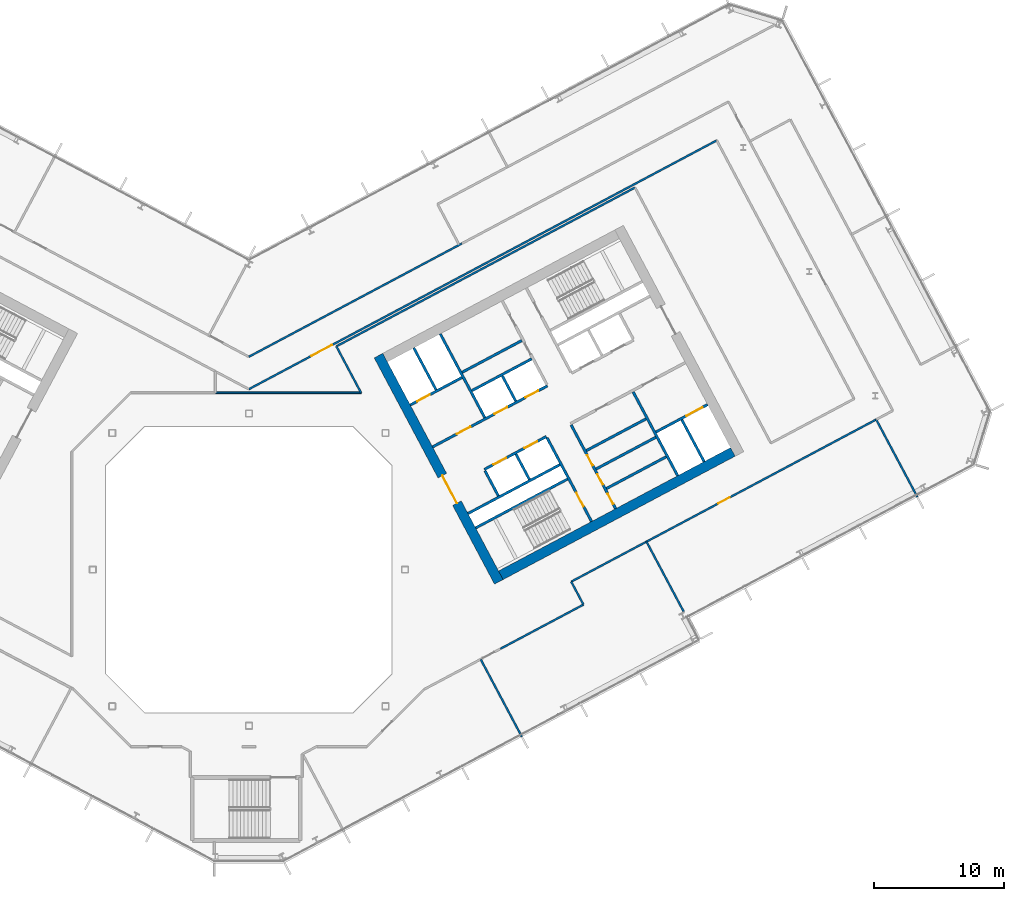
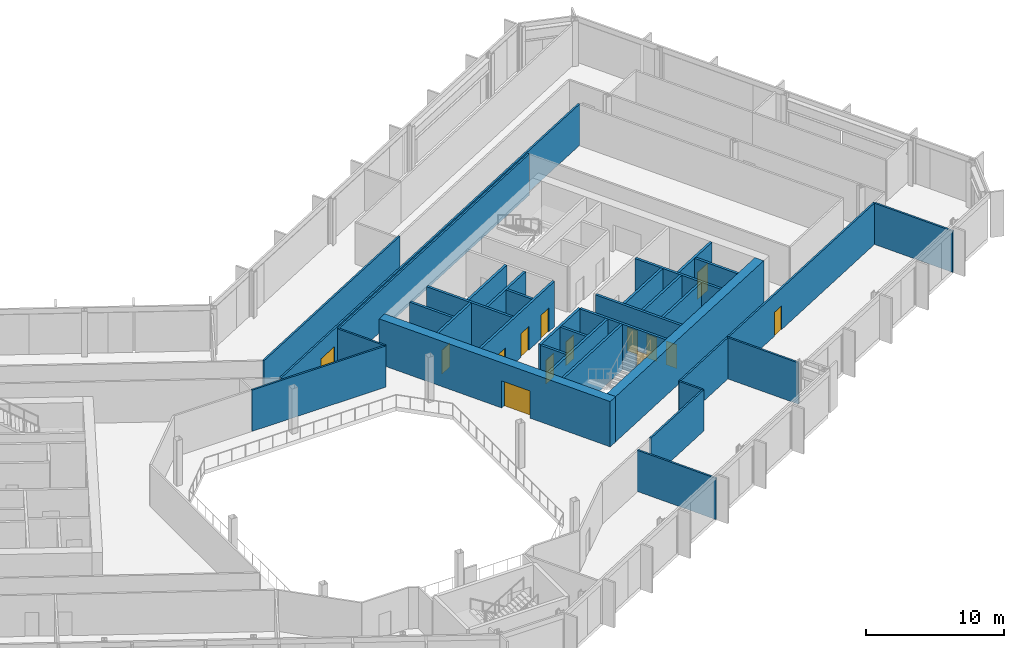
# One storey, part 16 of 28: 33 walls, 14 doors, 14 openings.
"""IFC4 building model written with IfcOpenShell, lengths in metres."""

from ifc_helpers import new_model, si_unit, direction, frame, frame_2d, origin, place, context, subcontext, project, spatial, rectangle, extrude, material, layer, layer_set, type_object, element, fill, save


model = new_model("IFC4")

# Units and contexts
model_context = context("Model", 3, precision=1e-05, world=origin(), true_north=direction((0.0, 1.0)))
body_context = subcontext(model_context, "Body", "Model", "MODEL_VIEW")
ifc_project = project(units=[si_unit("LENGTHUNIT", "METRE"), si_unit("AREAUNIT", "SQUARE_METRE"), si_unit("VOLUMEUNIT", "CUBIC_METRE"), si_unit("PLANEANGLEUNIT", "RADIAN"), si_unit("MASSUNIT", "GRAM", prefix="KILO")], contexts=[model_context])

# Site, building, storey
site_placement = place(None, origin())
site = spatial("IfcSite", under=ifc_project, at=site_placement, CompositionType="ELEMENT")
building_placement = place(site_placement, origin())
building = spatial("IfcBuilding", under=site, at=building_placement, Name="Cormorant Relay Tower", CompositionType="ELEMENT")
storey_placement = place(building_placement, frame((0.0, 0.0, 154.199951171875)))
storey = spatial("IfcBuildingStorey", under=building, at=storey_placement, Name="L32", CompositionType="ELEMENT", Elevation=154.199951171875)

# Walls
ifc_material_1 = material(Name="Concrete 40 MPa", Category="concrete")
ifc_layer_1 = layer(ifc_material_1, 0.199951171875)
ifc_layer_set_1 = layer_set([ifc_layer_1], Name="Core internal wall 200")
wall_type_1 = type_object("IfcWallType", Name="Core internal wall 200", PredefinedType="SOLIDWALL", material=ifc_layer_set_1)
for number, where, z_axis, x_axis, name in (
    (1, (21.567626953125, 6.9375, 0.0), (0.0, 0.0, 1.0), (-0.469533832133, 0.882914480843, 0.0), "L32 core B shaft and room wall"),
    (2, (20.522216796875, 12.950439453125, 0.0), (0.0, 0.0, 1.0), (-0.469401318492, 0.882984938828, 0.0), "L32 core B shaft and room wall"),
):
    element("IfcWall", number, at=place(storey_placement, frame(where, z_axis=z_axis, x_axis=x_axis)), inside=storey, type_object=wall_type_1, Name=name, PredefinedType="SOLIDWALL", context=body_context, shape_type="SweptSolid", body=[
        extrude(rectangle(XDim=2.199951171875, YDim=0.199951171875, at=frame_2d((1.10009765625, 0.0))), origin(), (0.0, 0.0, 1.0), 4.0),
    ])
for number, where, z_axis, x_axis, name in (
    (3, (27.490234375, 6.23583984375, 0.0), (0.0, 0.0, 1.0), (0.882953967957, 0.469459572775, 0.0), "L32 core B shaft and room wall"),
    (4, (26.692138671875, 7.73681640625, 0.0), (0.0, 0.0, 1.0), (0.882953967957, 0.469459572775, 0.0), "L32 core B shaft and room wall"),
    (5, (16.395751953125, 15.17333984375, 0.0), (0.0, 0.0, 1.0), (0.882934506056, 0.469496174655, 0.0), "L32 core B shaft and room wall"),
):
    element("IfcWall", number, at=place(storey_placement, frame(where, z_axis=z_axis, x_axis=x_axis)), inside=storey, type_object=wall_type_1, Name=name, PredefinedType="SOLIDWALL", context=body_context, shape_type="SweptSolid", body=[
        extrude(rectangle(XDim=5.199951171875, YDim=0.199951171875, at=frame_2d((2.60009765625, 0.0))), origin(), (0.0, 0.0, 1.0), 4.0),
    ])
ifc_material_2 = material(Name="Concrete 50 MPa", Category="concrete")
ifc_layer_2 = layer(ifc_material_2, 0.199951171875)
ifc_layer_set_2 = layer_set([ifc_layer_2], Name="Core shaft wall 200")
wall_type_2 = type_object("IfcWallType", Name="Core shaft wall 200", PredefinedType="SHEAR", material=ifc_layer_set_2)
wall_1_placement = place(storey_placement, frame((14.39404296875, 13.825927734375, 0.0), z_axis=(0.0, 0.0, 1.0), x_axis=(-0.469494272526, 0.882935517501, 0.0)))
element("IfcWall", 6, at=wall_1_placement, inside=storey, type_object=wall_type_2, Name="L32 core B shaft wall", PredefinedType="SHEAR", context=body_context, shape_type="SweptSolid", body=[
    extrude(rectangle(XDim=3.64990234375, YDim=0.199951171875, at=frame_2d((1.824951171875, 0.0))), origin(), (0.0, 0.0, 1.0), 4.0),
])
wall_2_placement = place(storey_placement, frame((19.18359375, 5.669921875, 0.0), z_axis=(0.0, 0.0, 1.0), x_axis=(-0.4694473164, 0.882960484464, 0.0)))
element("IfcWall", 7, at=wall_2_placement, inside=storey, type_object=wall_type_2, Name="L32 core B shaft wall", PredefinedType="SHEAR", context=body_context, shape_type="SweptSolid", body=[
    extrude(rectangle(XDim=2.199951171875, YDim=0.199951171875, at=frame_2d((1.10009765625, 0.0))), origin(), (0.0, 0.0, 1.0), 4.0),
])
wall_3_placement = place(storey_placement, frame((18.138427734375, 11.682861328125, 0.0), z_axis=(0.0, 0.0, 1.0), x_axis=(-0.469480409012, 0.88294288918, 0.0)))
element("IfcWall", 8, at=wall_3_placement, inside=storey, type_object=wall_type_2, Name="L32 core B shaft wall", PredefinedType="SHEAR", context=body_context, shape_type="SweptSolid", body=[
    extrude(rectangle(XDim=7.300048828125, YDim=0.199951171875, at=frame_2d((3.64990234375, 0.0))), origin(), (0.0, 0.0, 1.0), 4.0),
])

# Wall, opening, door
wall_4_placement = place(storey_placement, frame((26.345947265625, 3.701904296875, 0.0), z_axis=(0.0, 0.0, 1.0), x_axis=(-0.469480409012, 0.88294288918, 0.0)))
wall_4 = element("IfcWall", 9, at=wall_4_placement, inside=storey, type_object=wall_type_2, Name="L32 core B shaft wall", PredefinedType="SHEAR", context=body_context, shape_type="SweptSolid", body=[
    extrude(rectangle(XDim=7.300048828125, YDim=0.199951171875, at=frame_2d((3.64990234375, 0.0))), origin(), (0.0, 0.0, 1.0), 4.0),
])
opening_1_placement = place(wall_4_placement, frame((1.300048828125, 0.0, 0.0)))
opening_1 = element("IfcOpeningElement", 10, at=opening_1_placement, cuts=wall_4, Name="Opening CDB-036", PredefinedType="OPENING", context=body_context, shape_type="SweptSolid", body=[
    extrude(rectangle(XDim=1.199951171875, YDim=2.10009765625, at=frame_2d((0.60009765625, 1.050048828125))), frame((0.0, 0.10986328125, 0.0), z_axis=(0.0, -1.0, 0.0), x_axis=(1.0, 0.0, 0.0)), (0.0, 0.0, 1.0), 0.219970703125),
])
ifc_material_3 = material(Name="Steel fire door", Category="steel")
door_type_1 = type_object("IfcDoorType", Name="Core stair door 1200x2100", OperationType="SINGLE_SWING_LEFT", PredefinedType="DOOR", material=ifc_material_3)
door_1_placement = place(opening_1_placement, origin())
door_1 = element("IfcDoor", 11, at=door_1_placement, inside=storey, type_object=door_type_1, Name="Core stair door 1200x2100", OperationType="SINGLE_SWING_RIGHT", OverallHeight=2.10009765625, OverallWidth=1.199951171875, PredefinedType="DOOR", context=body_context, shape_type="SweptSolid", body=[
    extrude(rectangle(XDim=1.199951171875, YDim=2.10009765625, at=frame_2d((0.60009765625, 1.050048828125))), frame((0.0, 0.02490234375, 0.0), z_axis=(0.0, -1.0, 0.0), x_axis=(1.0, 0.0, 0.0)), (0.0, 0.0, 1.0), 0.050048828125),
])
fill(opening_1, door_1)

# Wall, openings, doors
wall_5_placement = place(storey_placement, frame((28.199951171875, 4.687744140625, 0.0), z_axis=(0.0, 0.0, 1.0), x_axis=(-0.469454336211, 0.882956752176, 0.0)))
wall_5 = element("IfcWall", 12, at=wall_5_placement, inside=storey, type_object=wall_type_2, Name="L32 core B shaft wall", PredefinedType="SHEAR", context=body_context, shape_type="SweptSolid", body=[
    extrude(rectangle(XDim=7.300048828125, YDim=0.199951171875, at=frame_2d((3.64990234375, 0.0))), origin(), (0.0, 0.0, 1.0), 4.0),
])
opening_2_placement = place(wall_5_placement, frame((0.39990234375, 0.0, 0.0)))
opening_2 = element("IfcOpeningElement", 13, at=opening_2_placement, cuts=wall_5, Name="Opening CDD-181", PredefinedType="OPENING", context=body_context, shape_type="SweptSolid", body=[
    extrude(rectangle(XDim=0.89990234375, YDim=2.10009765625, at=frame_2d((0.449951171875, 1.050048828125))), frame((0.0, 0.10986328125, 0.0), z_axis=(0.0, -1.0, 0.0), x_axis=(1.0, 0.0, 0.0)), (0.0, 0.0, 1.0), 0.219970703125),
])
opening_3_placement = place(wall_5_placement, frame((2.10009765625, 0.0, 0.0)))
opening_3 = element("IfcOpeningElement", 14, at=opening_3_placement, cuts=wall_5, Name="Opening CDD-182", PredefinedType="OPENING", context=body_context, shape_type="SweptSolid", body=[
    extrude(rectangle(XDim=0.89990234375, YDim=2.10009765625, at=frame_2d((0.449951171875, 1.050048828125))), frame((0.0, 0.10986328125, 0.0), z_axis=(0.0, -1.0, 0.0), x_axis=(1.0, 0.0, 0.0)), (0.0, 0.0, 1.0), 0.219970703125),
])
opening_4_placement = place(wall_5_placement, frame((3.75, 0.0, 0.0)))
opening_4 = element("IfcOpeningElement", 15, at=opening_4_placement, cuts=wall_5, Name="Opening CDD-183", PredefinedType="OPENING", context=body_context, shape_type="SweptSolid", body=[
    extrude(rectangle(XDim=0.89990234375, YDim=2.10009765625, at=frame_2d((0.449951171875, 1.050048828125))), frame((0.0, 0.10986328125, 0.0), z_axis=(0.0, -1.0, 0.0), x_axis=(1.0, 0.0, 0.0)), (0.0, 0.0, 1.0), 0.219970703125),
])
ifc_material_4 = material(Name="Steel fire door", Category="steel")
door_type_2 = type_object("IfcDoorType", Name="Core room door 900x2100", OperationType="SINGLE_SWING_LEFT", PredefinedType="DOOR", material=ifc_material_4)
door_2_placement = place(opening_2_placement, frame((0.89990234375, 0.0, 0.0), z_axis=(0.0, 0.0, 1.0), x_axis=(-1.0, 0.0, 0.0)))
door_2 = element("IfcDoor", 16, at=door_2_placement, inside=storey, type_object=door_type_2, Name="Core room door 900x2100", OperationType="SINGLE_SWING_LEFT", OverallHeight=2.10009765625, OverallWidth=0.89990234375, PredefinedType="DOOR", context=body_context, shape_type="SweptSolid", body=[
    extrude(rectangle(XDim=0.89990234375, YDim=2.10009765625, at=frame_2d((0.449951171875, 1.050048828125))), frame((0.0, 0.02490234375, 0.0), z_axis=(0.0, -1.0, 0.0), x_axis=(1.0, 0.0, 0.0)), (0.0, 0.0, 1.0), 0.050048828125),
])
fill(opening_2, door_2)
door_3_placement = place(opening_3_placement, frame((0.89990234375, 0.0, 0.0), z_axis=(0.0, 0.0, 1.0), x_axis=(-1.0, 0.0, 0.0)))
door_3 = element("IfcDoor", 17, at=door_3_placement, inside=storey, type_object=door_type_2, Name="Core room door 900x2100", OperationType="SINGLE_SWING_LEFT", OverallHeight=2.10009765625, OverallWidth=0.89990234375, PredefinedType="DOOR", context=body_context, shape_type="SweptSolid", body=[
    extrude(rectangle(XDim=0.89990234375, YDim=2.10009765625, at=frame_2d((0.449951171875, 1.050048828125))), frame((0.0, 0.02490234375, 0.0), z_axis=(0.0, -1.0, 0.0), x_axis=(1.0, 0.0, 0.0)), (0.0, 0.0, 1.0), 0.050048828125),
])
fill(opening_3, door_3)
door_4_placement = place(opening_4_placement, frame((0.89990234375, 0.0, 0.0), z_axis=(0.0, 0.0, 1.0), x_axis=(-1.0, 0.0, 0.0)))
door_4 = element("IfcDoor", 18, at=door_4_placement, inside=storey, type_object=door_type_2, Name="Core room door 900x2100", OperationType="SINGLE_SWING_LEFT", OverallHeight=2.10009765625, OverallWidth=0.89990234375, PredefinedType="DOOR", context=body_context, shape_type="SweptSolid", body=[
    extrude(rectangle(XDim=0.89990234375, YDim=2.10009765625, at=frame_2d((0.449951171875, 1.050048828125))), frame((0.0, 0.02490234375, 0.0), z_axis=(0.0, -1.0, 0.0), x_axis=(1.0, 0.0, 0.0)), (0.0, 0.0, 1.0), 0.050048828125),
])
fill(opening_4, door_4)

# Walls
wall_6_placement = place(storey_placement, frame((32.968017578125, 7.222900390625, 0.0), z_axis=(0.0, 0.0, 1.0), x_axis=(-0.469480409012, 0.88294288918, 0.0)))
element("IfcWall", 19, at=wall_6_placement, inside=storey, type_object=wall_type_2, Name="L32 core B shaft wall", PredefinedType="SHEAR", context=body_context, shape_type="SweptSolid", body=[
    extrude(rectangle(XDim=7.300048828125, YDim=0.199951171875, at=frame_2d((3.64990234375, 0.0))), origin(), (0.0, 0.0, 1.0), 4.0),
])
wall_7_placement = place(storey_placement, frame((34.998779296875, 8.302734375, 0.0), z_axis=(0.0, 0.0, 1.0), x_axis=(-0.4694665462, 0.882950260207, 0.0)))
element("IfcWall", 20, at=wall_7_placement, inside=storey, type_object=wall_type_2, Name="L32 core B shaft wall", PredefinedType="SHEAR", context=body_context, shape_type="SweptSolid", body=[
    extrude(rectangle(XDim=3.650146484375, YDim=0.199951171875, at=frame_2d((1.8251953125, 0.0))), origin(), (0.0, 0.0, 1.0), 4.0),
])
wall_8_placement = place(storey_placement, frame((17.43359375, 3.210205078125, 0.0), z_axis=(0.0, 0.0, 1.0), x_axis=(0.882940221191, 0.469485426614, 0.0)))
element("IfcWall", 21, at=wall_8_placement, inside=storey, type_object=wall_type_2, Name="L32 core B shaft wall", PredefinedType="SHEAR", context=body_context, shape_type="SweptSolid", body=[
    extrude(rectangle(XDim=8.0, YDim=0.199951171875, at=frame_2d((4.0, 0.0))), origin(), (0.0, 0.0, 1.0), 4.0),
])

# Wall, opening, door
wall_9_placement = place(storey_placement, frame((31.295654296875, 10.5810546875, 0.0), z_axis=(0.0, 0.0, 1.0), x_axis=(0.882960433586, 0.469447412093, 0.0)))
wall_9 = element("IfcWall", 22, at=wall_9_placement, inside=storey, type_object=wall_type_2, Name="L32 core B shaft wall", PredefinedType="SHEAR", context=body_context, shape_type="SweptSolid", body=[
    extrude(rectangle(XDim=4.5, YDim=0.199951171875, at=frame_2d((2.25, 0.0))), origin(), (0.0, 0.0, 1.0), 4.0),
])
opening_5_placement = place(wall_9_placement, frame((2.64990234375, 0.0, 0.0)))
opening_5 = element("IfcOpeningElement", 23, at=opening_5_placement, cuts=wall_9, Name="Opening LD3-014", PredefinedType="OPENING", context=body_context, shape_type="SweptSolid", body=[
    extrude(rectangle(XDim=1.39990234375, YDim=2.39990234375, at=frame_2d((0.699951171875, 1.199951171875))), frame((0.0, 0.10986328125, 0.0), z_axis=(0.0, -1.0, 0.0), x_axis=(1.0, 0.0, 0.0)), (0.0, 0.0, 1.0), 0.219970703125),
])
ifc_material_5 = material(Name="Stainless steel 316", Category="steel")
door_type_3 = type_object("IfcDoorType", Name="Lift landing door 1400x2400", OperationType="DOUBLE_DOOR_SLIDING", PredefinedType="DOOR", material=ifc_material_5)
door_5_placement = place(opening_5_placement, origin())
door_5 = element("IfcDoor", 24, at=door_5_placement, inside=storey, type_object=door_type_3, Name="SV2 landing door", OperationType="DOUBLE_DOOR_SLIDING", OverallHeight=2.39990234375, OverallWidth=1.39990234375, PredefinedType="DOOR", context=body_context, shape_type="SweptSolid", body=[
    extrude(rectangle(XDim=1.39990234375, YDim=2.39990234375, at=frame_2d((0.699951171875, 1.199951171875))), frame((0.0, 0.02490234375, 0.0), z_axis=(0.0, -1.0, 0.0), x_axis=(1.0, 0.0, 0.0)), (0.0, 0.0, 1.0), 0.050048828125),
])
fill(opening_5, door_5)

# Walls
wall_10_placement = place(storey_placement, frame((16.8466796875, 4.31396484375, 0.0), z_axis=(0.0, 0.0, 1.0), x_axis=(0.882940221191, 0.469485426614, 0.0)))
element("IfcWall", 25, at=wall_10_placement, inside=storey, type_object=wall_type_2, Name="L32 core B shaft wall", PredefinedType="SHEAR", context=body_context, shape_type="SweptSolid", body=[
    extrude(rectangle(XDim=8.0, YDim=0.199951171875, at=frame_2d((4.0, 0.0))), origin(), (0.0, 0.0, 1.0), 4.0),
])
wall_11_placement = place(storey_placement, frame((25.94091796875, 9.149658203125, 0.0), z_axis=(0.0, 0.0, 1.0), x_axis=(0.882953967957, 0.469459572775, 0.0)))
element("IfcWall", 26, at=wall_11_placement, inside=storey, type_object=wall_type_2, Name="L32 core B shaft wall", PredefinedType="SHEAR", context=body_context, shape_type="SweptSolid", body=[
    extrude(rectangle(XDim=5.199951171875, YDim=0.199951171875, at=frame_2d((2.60009765625, 0.0))), origin(), (0.0, 0.0, 1.0), 4.0),
])

# Wall, openings, doors
wall_12_placement = place(storey_placement, frame((18.103759765625, 7.70068359375, 0.0), z_axis=(0.0, 0.0, 1.0), x_axis=(0.882952937579, 0.469461510692, 0.0)))
wall_12 = element("IfcWall", 27, at=wall_12_placement, inside=storey, type_object=wall_type_2, Name="L32 core B shaft wall", PredefinedType="SHEAR", context=body_context, shape_type="SweptSolid", body=[
    extrude(rectangle(XDim=5.400146484375, YDim=0.199951171875, at=frame_2d((2.7001953125, 0.0))), origin(), (0.0, 0.0, 1.0), 4.0),
])
opening_6_placement = place(wall_12_placement, frame((0.800048828125, 0.0, 0.0)))
opening_6 = element("IfcOpeningElement", 28, at=opening_6_placement, cuts=wall_12, Name="Opening LD1-048", PredefinedType="OPENING", context=body_context, shape_type="SweptSolid", body=[
    extrude(rectangle(XDim=1.10009765625, YDim=2.10009765625, at=frame_2d((0.550048828125, 1.050048828125))), frame((0.0, 0.10986328125, 0.0), z_axis=(0.0, -1.0, 0.0), x_axis=(1.0, 0.0, 0.0)), (0.0, 0.0, 1.0), 0.219970703125),
])
opening_7_placement = place(wall_12_placement, frame((3.5, 0.0, 0.0)))
opening_7 = element("IfcOpeningElement", 29, at=opening_7_placement, cuts=wall_12, Name="Opening LD1-049", PredefinedType="OPENING", context=body_context, shape_type="SweptSolid", body=[
    extrude(rectangle(XDim=1.10009765625, YDim=2.10009765625, at=frame_2d((0.550048828125, 1.050048828125))), frame((0.0, 0.10986328125, 0.0), z_axis=(0.0, -1.0, 0.0), x_axis=(1.0, 0.0, 0.0)), (0.0, 0.0, 1.0), 0.219970703125),
])
ifc_material_6 = material(Name="Stainless steel 316", Category="steel")
door_type_4 = type_object("IfcDoorType", Name="Lift landing door 1100x2100", OperationType="DOUBLE_DOOR_SLIDING", PredefinedType="DOOR", material=ifc_material_6)
door_6_placement = place(opening_6_placement, origin())
door_6 = element("IfcDoor", 30, at=door_6_placement, inside=storey, type_object=door_type_4, Name="LR5 landing door", OperationType="DOUBLE_DOOR_SLIDING", OverallHeight=2.10009765625, OverallWidth=1.10009765625, PredefinedType="DOOR", context=body_context, shape_type="SweptSolid", body=[
    extrude(rectangle(XDim=1.10009765625, YDim=2.10009765625, at=frame_2d((0.550048828125, 1.050048828125))), frame((0.0, 0.02490234375, 0.0), z_axis=(0.0, -1.0, 0.0), x_axis=(1.0, 0.0, 0.0)), (0.0, 0.0, 1.0), 0.050048828125),
])
fill(opening_6, door_6)
door_7_placement = place(opening_7_placement, origin())
door_7 = element("IfcDoor", 31, at=door_7_placement, inside=storey, type_object=door_type_4, Name="LR6 landing door", OperationType="DOUBLE_DOOR_SLIDING", OverallHeight=2.10009765625, OverallWidth=1.10009765625, PredefinedType="DOOR", context=body_context, shape_type="SweptSolid", body=[
    extrude(rectangle(XDim=1.10009765625, YDim=2.10009765625, at=frame_2d((0.550048828125, 1.050048828125))), frame((0.0, 0.02490234375, 0.0), z_axis=(0.0, -1.0, 0.0), x_axis=(1.0, 0.0, 0.0)), (0.0, 0.0, 1.0), 0.050048828125),
])
fill(opening_7, door_7)

wall_13_placement = place(storey_placement, frame((14.123779296875, 9.43505859375, 0.0), z_axis=(0.0, 0.0, 1.0), x_axis=(0.882940221191, 0.469485426614, 0.0)))
wall_13 = element("IfcWall", 32, at=wall_13_placement, inside=storey, type_object=wall_type_2, Name="L32 core B shaft wall", PredefinedType="SHEAR", context=body_context, shape_type="SweptSolid", body=[
    extrude(rectangle(XDim=10.0, YDim=0.199951171875, at=frame_2d((5.0, 0.0))), origin(), (0.0, 0.0, 1.0), 4.0),
])
opening_8_placement = place(wall_13_placement, frame((2.10009765625, 0.0, 0.0)))
opening_8 = element("IfcOpeningElement", 33, at=opening_8_placement, cuts=wall_13, Name="Opening CDC-027", PredefinedType="OPENING", context=body_context, shape_type="SweptSolid", body=[
    extrude(rectangle(XDim=1.199951171875, YDim=2.10009765625, at=frame_2d((0.60009765625, 1.050048828125))), frame((0.0, 0.10986328125, 0.0), z_axis=(0.0, -1.0, 0.0), x_axis=(1.0, 0.0, 0.0)), (0.0, 0.0, 1.0), 0.219970703125),
])
opening_9_placement = place(wall_13_placement, frame((5.39990234375, 0.0, 0.0)))
opening_9 = element("IfcOpeningElement", 34, at=opening_9_placement, cuts=wall_13, Name="Opening LD1-044", PredefinedType="OPENING", context=body_context, shape_type="SweptSolid", body=[
    extrude(rectangle(XDim=1.10009765625, YDim=2.10009765625, at=frame_2d((0.550048828125, 1.050048828125))), frame((0.0, 0.10986328125, 0.0), z_axis=(0.0, -1.0, 0.0), x_axis=(1.0, 0.0, 0.0)), (0.0, 0.0, 1.0), 0.219970703125),
])
opening_10_placement = place(wall_13_placement, frame((8.10009765625, 0.0, 0.0)))
opening_10 = element("IfcOpeningElement", 35, at=opening_10_placement, cuts=wall_13, Name="Opening LD1-045", PredefinedType="OPENING", context=body_context, shape_type="SweptSolid", body=[
    extrude(rectangle(XDim=1.10009765625, YDim=2.10009765625, at=frame_2d((0.550048828125, 1.050048828125))), frame((0.0, 0.10986328125, 0.0), z_axis=(0.0, -1.0, 0.0), x_axis=(1.0, 0.0, 0.0)), (0.0, 0.0, 1.0), 0.219970703125),
])
ifc_material_7 = material(Name="Steel fire door", Category="steel")
door_type_5 = type_object("IfcDoorType", Name="Core lobby door 1200x2100", OperationType="SINGLE_SWING_LEFT", PredefinedType="DOOR", material=ifc_material_7)
door_8_placement = place(opening_8_placement, origin())
door_8 = element("IfcDoor", 36, at=door_8_placement, inside=storey, type_object=door_type_5, Name="Core lobby door 1200x2100", OperationType="SINGLE_SWING_RIGHT", OverallHeight=2.10009765625, OverallWidth=1.199951171875, PredefinedType="DOOR", context=body_context, shape_type="SweptSolid", body=[
    extrude(rectangle(XDim=1.199951171875, YDim=2.10009765625, at=frame_2d((0.60009765625, 1.050048828125))), frame((0.0, 0.02490234375, 0.0), z_axis=(0.0, -1.0, 0.0), x_axis=(1.0, 0.0, 0.0)), (0.0, 0.0, 1.0), 0.050048828125),
])
fill(opening_8, door_8)
door_9_placement = place(opening_9_placement, origin())
door_9 = element("IfcDoor", 37, at=door_9_placement, inside=storey, type_object=door_type_4, Name="LR1 landing door", OperationType="DOUBLE_DOOR_SLIDING", OverallHeight=2.10009765625, OverallWidth=1.10009765625, PredefinedType="DOOR", context=body_context, shape_type="SweptSolid", body=[
    extrude(rectangle(XDim=1.10009765625, YDim=2.10009765625, at=frame_2d((0.550048828125, 1.050048828125))), frame((0.0, 0.02490234375, 0.0), z_axis=(0.0, -1.0, 0.0), x_axis=(1.0, 0.0, 0.0)), (0.0, 0.0, 1.0), 0.050048828125),
])
fill(opening_9, door_9)
door_10_placement = place(opening_10_placement, origin())
door_10 = element("IfcDoor", 38, at=door_10_placement, inside=storey, type_object=door_type_4, Name="LR2 landing door", OperationType="DOUBLE_DOOR_SLIDING", OverallHeight=2.10009765625, OverallWidth=1.10009765625, PredefinedType="DOOR", context=body_context, shape_type="SweptSolid", body=[
    extrude(rectangle(XDim=1.10009765625, YDim=2.10009765625, at=frame_2d((0.550048828125, 1.050048828125))), frame((0.0, 0.02490234375, 0.0), z_axis=(0.0, -1.0, 0.0), x_axis=(1.0, 0.0, 0.0)), (0.0, 0.0, 1.0), 0.050048828125),
])
fill(opening_10, door_10)

# Wall
wall_14_placement = place(storey_placement, frame((17.146728515625, 13.7607421875, 0.0), z_axis=(0.0, 0.0, 1.0), x_axis=(0.882964314875, 0.469440111896, 0.0)))
element("IfcWall", 39, at=wall_14_placement, inside=storey, type_object=wall_type_2, Name="L32 core B shaft wall", PredefinedType="SHEAR", context=body_context, shape_type="SweptSolid", body=[
    extrude(rectangle(XDim=5.2001953125, YDim=0.199951171875, at=frame_2d((2.60009765625, 0.0))), origin(), (0.0, 0.0, 1.0), 4.0),
])

# Wall, opening, door
wall_15_placement = place(storey_placement, frame((12.41015625, 12.657958984375, 0.0), z_axis=(0.0, 0.0, 1.0), x_axis=(0.8829484765, 0.469469900894, 0.0)))
wall_15 = element("IfcWall", 40, at=wall_15_placement, inside=storey, type_object=wall_type_2, Name="L32 core B shaft wall", PredefinedType="SHEAR", context=body_context, shape_type="SweptSolid", body=[
    extrude(rectangle(XDim=4.499755859375, YDim=0.199951171875, at=frame_2d((2.25, 0.0))), origin(), (0.0, 0.0, 1.0), 4.0),
])
opening_11_placement = place(wall_15_placement, frame((0.60009765625, 0.0, 0.0)))
opening_11 = element("IfcOpeningElement", 41, at=opening_11_placement, cuts=wall_15, Name="Opening LD1-050", PredefinedType="OPENING", context=body_context, shape_type="SweptSolid", body=[
    extrude(rectangle(XDim=1.10009765625, YDim=2.10009765625, at=frame_2d((0.550048828125, 1.050048828125))), frame((0.0, 0.10986328125, 0.0), z_axis=(0.0, -1.0, 0.0), x_axis=(1.0, 0.0, 0.0)), (0.0, 0.0, 1.0), 0.219970703125),
])
door_11_placement = place(opening_11_placement, origin())
door_11 = element("IfcDoor", 42, at=door_11_placement, inside=storey, type_object=door_type_4, Name="FF2 landing door", OperationType="DOUBLE_DOOR_SLIDING", OverallHeight=2.10009765625, OverallWidth=1.10009765625, PredefinedType="DOOR", context=body_context, shape_type="SweptSolid", body=[
    extrude(rectangle(XDim=1.10009765625, YDim=2.10009765625, at=frame_2d((0.550048828125, 1.050048828125))), frame((0.0, 0.02490234375, 0.0), z_axis=(0.0, -1.0, 0.0), x_axis=(1.0, 0.0, 0.0)), (0.0, 0.0, 1.0), 0.050048828125),
])
fill(opening_11, door_11)

ifc_material_8 = material(Name="Concrete 60 MPa", Category="concrete")
ifc_layer_3 = layer(ifc_material_8, 0.75)
ifc_layer_set_3 = layer_set([ifc_layer_3], Name="Core wall 750")
wall_type_3 = type_object("IfcWallType", Name="Core wall 750", PredefinedType="SHEAR", material=ifc_layer_set_3)
wall_16_placement = place(storey_placement, frame((19.215087890625, -0.93896484375, 0.0), z_axis=(0.0, 0.0, 1.0), x_axis=(-0.469479580143, 0.882943329908, 0.0)))
wall_16 = element("IfcWall", 43, at=wall_16_placement, inside=storey, type_object=wall_type_3, Name="L32 core B wall", PredefinedType="SHEAR", context=body_context, shape_type="SweptSolid", body=[
    extrude(rectangle(XDim=19.699951171875, YDim=0.75, at=frame_2d((9.85009765625, 0.0))), origin(), (0.0, 0.0, 1.0), 4.0),
])
opening_12_placement = place(wall_16_placement, frame((6.85009765625, 0.0, 0.0)))
opening_12 = element("IfcOpeningElement", 44, at=opening_12_placement, cuts=wall_16, Name="Opening CDA-031", PredefinedType="OPENING", context=body_context, shape_type="SweptSolid", body=[
    extrude(rectangle(XDim=2.39990234375, YDim=2.39990234375, at=frame_2d((1.199951171875, 1.199951171875))), frame((0.0, 0.385009765625, 0.0), z_axis=(0.0, -1.0, 0.0), x_axis=(1.0, 0.0, 0.0)), (0.0, 0.0, 1.0), 0.77001953125),
])
ifc_material_9 = material(Name="Steel fire door", Category="steel")
door_type_6 = type_object("IfcDoorType", Name="Core lobby door 2400x2400", OperationType="DOUBLE_DOOR_SINGLE_SWING", PredefinedType="DOOR", material=ifc_material_9)
door_12_placement = place(opening_12_placement, origin())
door_12 = element("IfcDoor", 45, at=door_12_placement, inside=storey, type_object=door_type_6, Name="Core lobby door 2400x2400", OperationType="DOUBLE_DOOR_SINGLE_SWING", OverallHeight=2.39990234375, OverallWidth=2.39990234375, PredefinedType="DOOR", context=body_context, shape_type="SweptSolid", body=[
    extrude(rectangle(XDim=2.39990234375, YDim=2.39990234375, at=frame_2d((1.199951171875, 1.199951171875))), frame((0.0, 0.02490234375, 0.0), z_axis=(0.0, -1.0, 0.0), x_axis=(1.0, 0.0, 0.0)), (0.0, 0.0, 1.0), 0.050048828125),
])
fill(opening_12, door_12)

# Walls
wall_17_placement = place(storey_placement, frame((19.3701171875, -0.431884765625, 0.0), z_axis=(0.0, 0.0, 1.0), x_axis=(0.88294509198, 0.469476266226, 0.0)))
element("IfcWall", 46, at=wall_17_placement, inside=storey, type_object=wall_type_3, Name="L32 core B wall", PredefinedType="SHEAR", context=body_context, shape_type="SweptSolid", body=[
    extrude(rectangle(XDim=20.199951171875, YDim=0.75, at=frame_2d((10.10009765625, 0.0))), origin(), (0.0, 0.0, 1.0), 4.0),
])
ifc_material_10 = material(Name="Gypsum board fire partition")
ifc_layer_4 = layer(ifc_material_10, 0.14990234375)
ifc_layer_set_4 = layer_set([ifc_layer_4], Name="Corridor partition 150 EI 60")
wall_type_4 = type_object("IfcWallType", Name="Corridor partition 150 EI 60", PredefinedType="PARTITIONING", material=ifc_layer_set_4)
wall_18_placement = place(storey_placement, frame((0.0, 16.365966796875, 0.0), z_axis=(0.0, 0.0, 1.0), x_axis=(0.882949964187, 0.469467102939, 0.0)))
element("IfcWall", 47, at=wall_18_placement, inside=storey, type_object=wall_type_4, Name="wall/L32/part/040", PredefinedType="PARTITIONING", context=body_context, shape_type="SweptSolid", body=[
    extrude(rectangle(XDim=18.54248046875, YDim=0.14990234375, at=frame_2d((9.271240234375, 0.0))), origin(), (0.0, 0.0, 1.0), 3.64013671875),
])

# Wall, opening, door
wall_19_placement = place(storey_placement, frame((0.0, 13.8740234375, 0.0), z_axis=(0.0, 0.0, 1.0), x_axis=(0.882942852858, 0.469480477322, 0.0)))
wall_19 = element("IfcWall", 48, at=wall_19_placement, inside=storey, type_object=wall_type_4, Name="wall/L32/part/051", PredefinedType="PARTITIONING", context=body_context, shape_type="SweptSolid", body=[
    extrude(rectangle(XDim=40.736572265625, YDim=0.14990234375, at=frame_2d((20.3681640625, 0.0))), origin(), (0.0, 0.0, 1.0), 3.64013671875),
])
opening_13_placement = place(wall_19_placement, frame((5.449951171875, 0.0, 0.0)))
opening_13 = element("IfcOpeningElement", 49, at=opening_13_placement, cuts=wall_19, Name="Opening DD-013", PredefinedType="OPENING", context=body_context, shape_type="SweptSolid", body=[
    extrude(rectangle(XDim=1.800048828125, YDim=2.10009765625, at=frame_2d((0.89990234375, 1.050048828125))), frame((0.0, 0.0849609375, 0.0), z_axis=(0.0, -1.0, 0.0), x_axis=(1.0, 0.0, 0.0)), (0.0, 0.0, 1.0), 0.169921875),
])
ifc_material_11 = material(Name="Timber door leaf", Category="wood")
door_type_7 = type_object("IfcDoorType", Name="Suite double door 1800x2100", OperationType="DOUBLE_DOOR_SINGLE_SWING", PredefinedType="DOOR", material=ifc_material_11)
door_13_placement = place(opening_13_placement, frame((1.800048828125, 0.0, 0.0), z_axis=(0.0, 0.0, 1.0), x_axis=(-1.0, 0.0, 0.0)))
door_13 = element("IfcDoor", 50, at=door_13_placement, inside=storey, type_object=door_type_7, Name="door/L32/002", OperationType="DOUBLE_DOOR_SINGLE_SWING", OverallHeight=2.10009765625, OverallWidth=1.800048828125, PredefinedType="DOOR", context=body_context, shape_type="SweptSolid", body=[
    extrude(rectangle(XDim=1.800048828125, YDim=2.10009765625, at=frame_2d((0.89990234375, 1.050048828125))), frame((0.0, 0.02490234375, 0.0), z_axis=(0.0, -1.0, 0.0), x_axis=(1.0, 0.0, 0.0)), (0.0, 0.0, 1.0), 0.050048828125),
])
fill(opening_13, door_13)

# Walls
wall_20_placement = place(storey_placement, frame((29.68408203125, 29.3740234375, 0.0), z_axis=(0.0, 0.0, 1.0), x_axis=(-0.882945936391, -0.469474678136, 0.0)))
element("IfcWall", 51, at=wall_20_placement, inside=storey, type_object=wall_type_4, Name="wall/L32/part/055", PredefinedType="PARTITIONING", context=body_context, shape_type="SweptSolid", body=[
    extrude(rectangle(XDim=25.999267578125, YDim=0.14990234375, at=frame_2d((12.99951171875, 0.0))), origin(), (0.0, 0.0, 1.0), 3.64013671875),
])
wall_21_placement = place(storey_placement, frame((6.72802734375, 17.16796875, 0.0), z_axis=(0.0, 0.0, 1.0), x_axis=(0.469452644844, -0.882957651447, 0.0)))
element("IfcWall", 52, at=wall_21_placement, inside=storey, type_object=wall_type_4, Name="wall/L32/part/056", PredefinedType="PARTITIONING", context=body_context, shape_type="SweptSolid", body=[
    extrude(rectangle(XDim=4.040771484375, YDim=0.14990234375, at=frame_2d((2.0205078125, 0.0))), origin(), (0.0, 0.0, 1.0), 3.64013671875),
])
wall_22_placement = place(storey_placement, frame((8.625, 13.60009765625, 0.0), z_axis=(0.0, 0.0, 1.0), x_axis=(-1.0, 0.0, 0.0)))
element("IfcWall", 53, at=wall_22_placement, inside=storey, type_object=wall_type_4, Name="wall/L32/part/057", PredefinedType="PARTITIONING", context=body_context, shape_type="SweptSolid", body=[
    extrude(rectangle(XDim=11.195068359375, YDim=0.14990234375, at=frame_2d((5.59765625, 0.0))), origin(), (0.0, 0.0, 1.0), 3.64013671875),
])
wall_23_placement = place(storey_placement, frame((25.722900390625, -2.68798828125, 0.0), z_axis=(0.0, 0.0, 1.0), x_axis=(-0.882926637088, -0.469510972738, 0.0)))
element("IfcWall", 54, at=wall_23_placement, inside=storey, type_object=wall_type_4, Name="wall/L32/part/071", PredefinedType="PARTITIONING", context=body_context, shape_type="SweptSolid", body=[
    extrude(rectangle(XDim=7.224609375, YDim=0.14990234375, at=frame_2d((3.6123046875, 0.0))), origin(), (0.0, 0.0, 1.0), 3.64013671875),
])
wall_24_placement = place(storey_placement, frame((25.721923828125, -2.68896484375, 0.0), z_axis=(0.0, 0.0, 1.0), x_axis=(-0.469128414652, 0.883129962444, 0.0)))
element("IfcWall", 55, at=wall_24_placement, inside=storey, type_object=wall_type_4, Name="wall/L32/part/072", PredefinedType="PARTITIONING", context=body_context, shape_type="SweptSolid", body=[
    extrude(rectangle(XDim=1.997314453125, YDim=0.14990234375, at=frame_2d((0.99853515625, 0.0))), origin(), (0.0, 0.0, 1.0), 3.64013671875),
])

# Wall, opening, door
wall_25_placement = place(storey_placement, frame((48.22802734375, 11.54296875, 0.0), z_axis=(0.0, 0.0, 1.0), x_axis=(-0.882937917869, -0.469489758342, 0.0)))
wall_25 = element("IfcWall", 56, at=wall_25_placement, inside=storey, type_object=wall_type_4, Name="wall/L32/part/075", PredefinedType="PARTITIONING", context=body_context, shape_type="SweptSolid", body=[
    extrude(rectangle(XDim=26.55224609375, YDim=0.14990234375, at=frame_2d((13.276123046875, 0.0))), origin(), (0.0, 0.0, 1.0), 3.64013671875),
])
opening_14_placement = place(wall_25_placement, frame((12.75, 0.0, 0.0)))
opening_14 = element("IfcOpeningElement", 57, at=opening_14_placement, cuts=wall_25, Name="Opening DS-047", PredefinedType="OPENING", context=body_context, shape_type="SweptSolid", body=[
    extrude(rectangle(XDim=1.0, YDim=2.10009765625, at=frame_2d((0.5, 1.050048828125))), frame((0.0, 0.0849609375, 0.0), z_axis=(0.0, -1.0, 0.0), x_axis=(1.0, 0.0, 0.0)), (0.0, 0.0, 1.0), 0.169921875),
])
ifc_material_12 = material(Name="Timber door leaf", Category="wood")
door_type_8 = type_object("IfcDoorType", Name="Suite door 1000x2100", OperationType="SINGLE_SWING_LEFT", PredefinedType="DOOR", material=ifc_material_12)
door_14_placement = place(opening_14_placement, origin())
door_14 = element("IfcDoor", 58, at=door_14_placement, inside=storey, type_object=door_type_8, Name="door/L32/005", OperationType="SINGLE_SWING_RIGHT", OverallHeight=2.10009765625, OverallWidth=1.0, PredefinedType="DOOR", context=body_context, shape_type="SweptSolid", body=[
    extrude(rectangle(XDim=1.0, YDim=2.10009765625, at=frame_2d((0.5, 1.050048828125))), frame((0.0, 0.02490234375, 0.0), z_axis=(0.0, -1.0, 0.0), x_axis=(1.0, 0.0, 0.0)), (0.0, 0.0, 1.0), 0.050048828125),
])
fill(opening_14, door_14)

# Walls
ifc_material_13 = material(Name="Gypsum board partition")
ifc_layer_5 = layer(ifc_material_13, 0.14990234375)
ifc_layer_set_5 = layer_set([ifc_layer_5], Name="Tenant partition 150")
wall_type_5 = type_object("IfcWallType", Name="Tenant partition 150", PredefinedType="PARTITIONING", material=ifc_layer_set_5)
wall_26_placement = place(storey_placement, frame((17.821044921875, -6.889892578125, 0.0), z_axis=(0.0, 0.0, 1.0), x_axis=(0.469454014738, -0.882956923098, 0.0)))
element("IfcWall", 59, at=wall_26_placement, inside=storey, type_object=wall_type_5, Name="wall/L32/part/064", PredefinedType="PARTITIONING", context=body_context, shape_type="SweptSolid", body=[
    extrude(rectangle(XDim=6.750244140625, YDim=0.14990234375, at=frame_2d((3.375, 0.0))), origin(), (0.0, 0.0, 1.0), 3.64013671875),
])
wall_27_placement = place(storey_placement, frame((30.568115234375, 2.153076171875, 0.0), z_axis=(0.0, 0.0, 1.0), x_axis=(0.469403906404, -0.88298356307, 0.0)))
element("IfcWall", 60, at=wall_27_placement, inside=storey, type_object=wall_type_5, Name="wall/L32/part/074", PredefinedType="PARTITIONING", context=body_context, shape_type="SweptSolid", body=[
    extrude(rectangle(XDim=6.100830078125, YDim=0.14990234375, at=frame_2d((3.05029296875, 0.0))), origin(), (0.0, 0.0, 1.0), 3.64013671875),
])
wall_28_placement = place(storey_placement, frame((48.22607421875, 11.5419921875, 0.0), z_axis=(0.0, 0.0, 1.0), x_axis=(0.469469006851, -0.882948951869, 0.0)))
element("IfcWall", 61, at=wall_28_placement, inside=storey, type_object=wall_type_5, Name="wall/L32/part/076", PredefinedType="PARTITIONING", context=body_context, shape_type="SweptSolid", body=[
    extrude(rectangle(XDim=6.75, YDim=0.14990234375, at=frame_2d((3.375, 0.0))), origin(), (0.0, 0.0, 1.0), 3.64013671875),
])

save(model, "model.ifc")
